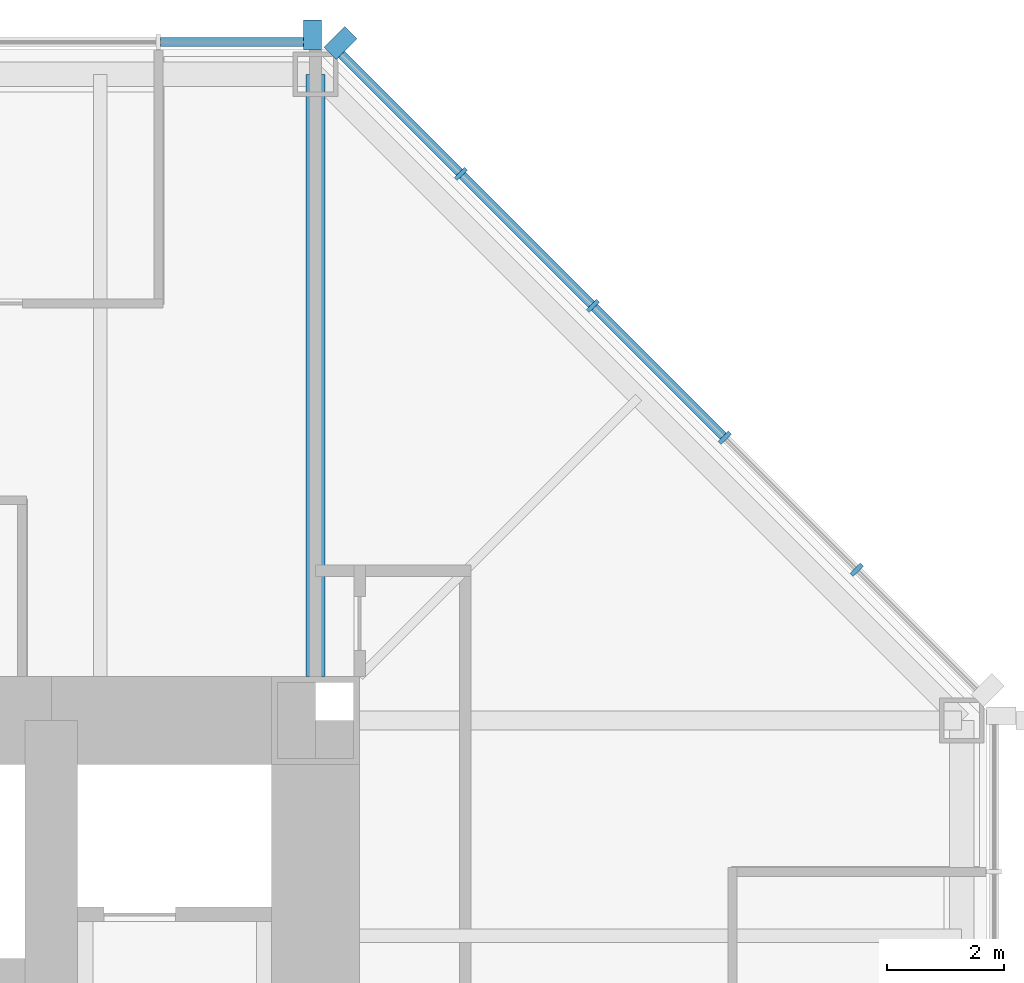
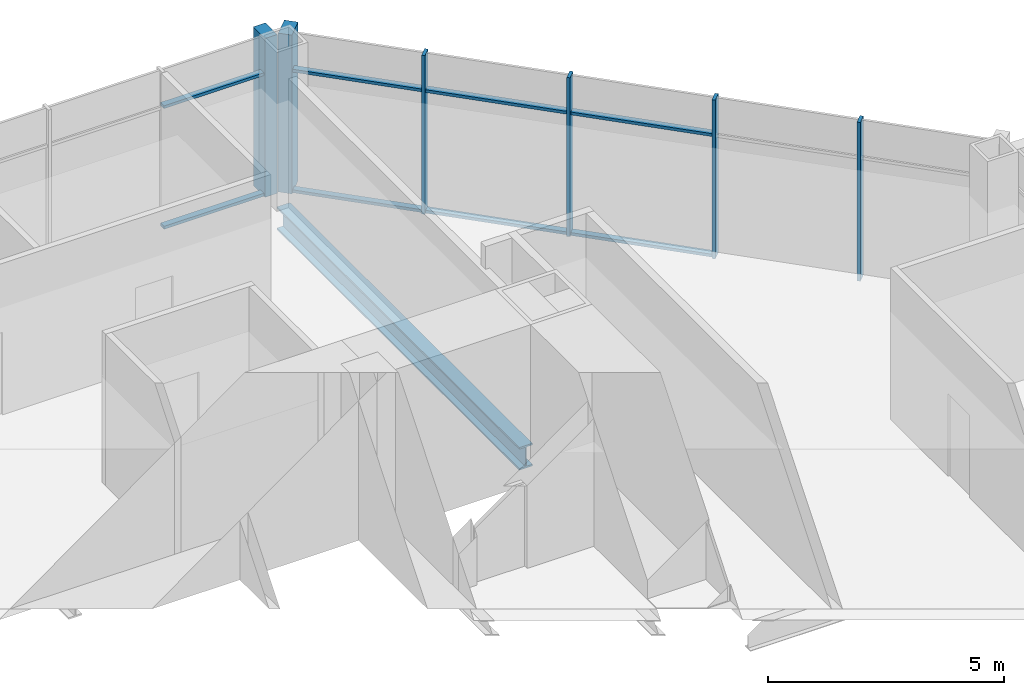
# One storey, part 6 of 12: 14 members, 1 beam, 2 elements without a shape of their own.
"""IFC4 building model written with IfcOpenShell, lengths in metres."""

from ifc_helpers import new_model, si_unit, direction, frame, origin, origin_2d, place, context, subcontext, project, spatial, rectangle, i_section, extrude, material, material_profile, profile_set, type_object, element, aggregate, save


model = new_model("IFC4")

# Units and contexts
model_context = context("Model", 3, precision=1e-05, world=origin(), true_north=direction((0.0, 1.0)))
body_context = subcontext(model_context, "Body", "Model", "MODEL_VIEW")
ifc_project = project(units=[si_unit("LENGTHUNIT", "METRE"), si_unit("AREAUNIT", "SQUARE_METRE"), si_unit("VOLUMEUNIT", "CUBIC_METRE"), si_unit("PLANEANGLEUNIT", "RADIAN"), si_unit("MASSUNIT", "GRAM", prefix="KILO")], contexts=[model_context])

# Site, building, storey
site_placement = place(None, origin())
site = spatial("IfcSite", under=ifc_project, at=site_placement, CompositionType="ELEMENT")
building_placement = place(site_placement, origin())
building = spatial("IfcBuilding", under=site, at=building_placement, Name="Trevanion Tower", CompositionType="ELEMENT")
storey_placement = place(building_placement, frame((0.0, 0.0, 129.5)))
storey = spatial("IfcBuildingStorey", under=building, at=storey_placement, Name="L30", CompositionType="ELEMENT", Elevation=129.5)

# Curtain wall, members
ifc_material_1 = material(Name="Aluminium and glass", Category="aluminium")
curtain_wall_type = type_object("IfcCurtainWallType", Name="CW2 curtain wall", PredefinedType="USERDEFINED", material=ifc_material_1)
curtain_wall_1_placement = place(storey_placement, origin())
curtain_wall_1 = element("IfcCurtainWall", 1, at=curtain_wall_1_placement, inside=storey, type_object=curtain_wall_type, Name="CW2 L30 1", ObjectType="UNITISED CURTAIN WALL", PredefinedType="USERDEFINED")
ifc_material_2 = material(Name="Aluminium extrusion, anodised bronze", Category="aluminium")
ifc_material_profile_1 = material_profile(ifc_material_2, rectangle(XDim=0.074951171875, YDim=0.25, at=origin_2d()), Name="CW2 mullion")
ifc_profile_set_1 = profile_set([ifc_material_profile_1], Name="Aluminium extrusion, anodised bronze")
member_type_1 = type_object("IfcMemberType", Name="CW2 mullion", PredefinedType="MULLION", material=ifc_profile_set_1)
member_1_placement = place(storey_placement, frame((20.2119140625, 13.56591796875, -0.18994140625), z_axis=(0.0, 0.0, 1.0), x_axis=(-0.707106781187, 0.707106781187, 0.0)))
member_1 = element("IfcMember", 2, at=member_1_placement, type_object=member_type_1, Name="CW2 mullion 2", PredefinedType="MULLION", context=body_context, shape_type="SweptSolid", body=[
    extrude(rectangle(XDim=0.074951171875, YDim=0.25, at=origin_2d()), origin(), (0.0, 0.0, 1.0), 4.099853515625),
])
member_2_placement = place(storey_placement, frame((17.966064453125, 15.811767578125, -0.18994140625), z_axis=(0.0, 0.0, 1.0), x_axis=(-0.707106781187, 0.707106781187, 0.0)))
member_2 = element("IfcMember", 3, at=member_2_placement, type_object=member_type_1, Name="CW2 mullion 3", PredefinedType="MULLION", context=body_context, shape_type="SweptSolid", body=[
    extrude(rectangle(XDim=0.074951171875, YDim=0.25, at=origin_2d()), origin(), (0.0, 0.0, 1.0), 4.099853515625),
])
member_3_placement = place(storey_placement, frame((15.719970703125, 18.057861328125, -0.18994140625), z_axis=(0.0, 0.0, 1.0), x_axis=(-0.707106781187, 0.707106781187, 0.0)))
member_3 = element("IfcMember", 4, at=member_3_placement, type_object=member_type_1, Name="CW2 mullion 4", PredefinedType="MULLION", context=body_context, shape_type="SweptSolid", body=[
    extrude(rectangle(XDim=0.074951171875, YDim=0.25, at=origin_2d()), origin(), (0.0, 0.0, 1.0), 4.099853515625),
])
member_4_placement = place(storey_placement, frame((13.473876953125, 20.303955078125, -0.18994140625), z_axis=(0.0, 0.0, 1.0), x_axis=(-0.707106781187, 0.707106781187, 0.0)))
member_4 = element("IfcMember", 5, at=member_4_placement, type_object=member_type_1, Name="CW2 mullion 5", PredefinedType="MULLION", context=body_context, shape_type="SweptSolid", body=[
    extrude(rectangle(XDim=0.074951171875, YDim=0.25, at=origin_2d()), origin(), (0.0, 0.0, 1.0), 4.099853515625),
])
ifc_material_3 = material(Name="Aluminium extrusion, anodised bronze", Category="aluminium")
ifc_material_profile_2 = material_profile(ifc_material_3, rectangle(XDim=0.300048828125, YDim=0.5, at=origin_2d()), Name="CW2 pier mullion")
ifc_profile_set_2 = profile_set([ifc_material_profile_2], Name="Aluminium extrusion, anodised bronze")
member_type_2 = type_object("IfcMemberType", Name="CW2 pier mullion", PredefinedType="MULLION", material=ifc_profile_set_2)
member_5_placement = place(storey_placement, frame((11.42236328125, 22.5322265625, -0.18994140625), z_axis=(0.0, 0.0, 1.0), x_axis=(-0.707106781187, 0.707106781187, 0.0)))
member_5 = element("IfcMember", 6, at=member_5_placement, type_object=member_type_2, Name="CW2 pier mullion 6", PredefinedType="MULLION", context=body_context, shape_type="SweptSolid", body=[
    extrude(rectangle(XDim=0.300048828125, YDim=0.5, at=origin_2d()), origin(), (0.0, 0.0, 1.0), 4.099853515625),
])

# Curtain wall, member
curtain_wall_2_placement = place(storey_placement, origin())
curtain_wall_2 = element("IfcCurtainWall", 7, at=curtain_wall_2_placement, inside=storey, type_object=curtain_wall_type, Name="CW2 L30 2", ObjectType="UNITISED CURTAIN WALL", PredefinedType="USERDEFINED")
member_6_placement = place(storey_placement, frame((10.94775390625, 22.675048828125, -0.18994140625), z_axis=(0.0, 0.0, 1.0), x_axis=(-1.0, 0.0, 0.0)))
member_6 = element("IfcMember", 8, at=member_6_placement, type_object=member_type_2, Name="CW2 pier mullion 1", PredefinedType="MULLION", context=body_context, shape_type="SweptSolid", body=[
    extrude(rectangle(XDim=0.300048828125, YDim=0.5, at=origin_2d()), origin(), (0.0, 0.0, 1.0), 4.099853515625),
])

# Member
ifc_material_4 = material(Name="Aluminium extrusion, anodised bronze", Category="aluminium")
ifc_material_profile_3 = material_profile(ifc_material_4, rectangle(XDim=0.14990234375, YDim=0.074951171875, at=origin_2d()), Name="CW2 transom")
ifc_profile_set_3 = profile_set([ifc_material_profile_3], Name="Aluminium extrusion, anodised bronze")
member_type_3 = type_object("IfcMemberType", Name="CW2 transom", PredefinedType="USERDEFINED", material=ifc_profile_set_3)
member_7_placement = place(storey_placement, frame((17.939453125, 15.83837890625, -0.152587890625), z_axis=(-0.707106781187, 0.707106781187, 0.0), x_axis=(-0.707106781187, -0.707106781187, 0.0)))
member_7 = element("IfcMember", 9, at=member_7_placement, type_object=member_type_3, Name="CW2 transom 3.1", ObjectType="TRANSOM", PredefinedType="USERDEFINED", context=body_context, shape_type="SweptSolid", body=[
    extrude(rectangle(XDim=0.14990234375, YDim=0.074951171875, at=origin_2d()), origin(), (0.0, 0.0, 1.0), 3.1015625),
])

member_8_placement = place(storey_placement, frame((17.939453125, 15.83837890625, 2.9599609375), z_axis=(-0.707106781187, 0.707106781187, 0.0), x_axis=(-0.707106781187, -0.707106781187, 0.0)))
member_8 = element("IfcMember", 10, at=member_8_placement, type_object=member_type_3, Name="CW2 transom 3.2", ObjectType="TRANSOM", PredefinedType="USERDEFINED", context=body_context, shape_type="SweptSolid", body=[
    extrude(rectangle(XDim=0.14990234375, YDim=0.074951171875, at=origin_2d()), origin(), (0.0, 0.0, 1.0), 3.1015625),
])

member_9_placement = place(storey_placement, frame((15.693359375, 18.08447265625, -0.152587890625), z_axis=(-0.707106781187, 0.707106781187, 0.0), x_axis=(-0.707106781187, -0.707106781187, 0.0)))
member_9 = element("IfcMember", 11, at=member_9_placement, type_object=member_type_3, Name="CW2 transom 4.1", ObjectType="TRANSOM", PredefinedType="USERDEFINED", context=body_context, shape_type="SweptSolid", body=[
    extrude(rectangle(XDim=0.14990234375, YDim=0.074951171875, at=origin_2d()), origin(), (0.0, 0.0, 1.0), 3.10107421875),
])

member_10_placement = place(storey_placement, frame((15.693359375, 18.08447265625, 2.9599609375), z_axis=(-0.707106781187, 0.707106781187, 0.0), x_axis=(-0.707106781187, -0.707106781187, 0.0)))
member_10 = element("IfcMember", 12, at=member_10_placement, type_object=member_type_3, Name="CW2 transom 4.2", ObjectType="TRANSOM", PredefinedType="USERDEFINED", context=body_context, shape_type="SweptSolid", body=[
    extrude(rectangle(XDim=0.14990234375, YDim=0.074951171875, at=origin_2d()), origin(), (0.0, 0.0, 1.0), 3.10107421875),
])

member_11_placement = place(storey_placement, frame((13.447509765625, 20.33056640625, -0.152587890625), z_axis=(-0.707149778163, 0.707063781595, 0.0), x_axis=(-0.707063781595, -0.707149778163, 0.0)))
member_11 = element("IfcMember", 13, at=member_11_placement, type_object=member_type_3, Name="CW2 transom 5.1", ObjectType="TRANSOM", PredefinedType="USERDEFINED", context=body_context, shape_type="SweptSolid", body=[
    extrude(rectangle(XDim=0.14990234375, YDim=0.074951171875, at=origin_2d()), origin(), (0.0, 0.0, 1.0), 2.8388671875),
])

member_12_placement = place(storey_placement, frame((13.447509765625, 20.33056640625, 2.9599609375), z_axis=(-0.707149778163, 0.707063781595, 0.0), x_axis=(-0.707063781595, -0.707149778163, 0.0)))
member_12 = element("IfcMember", 14, at=member_12_placement, type_object=member_type_3, Name="CW2 transom 5.2", ObjectType="TRANSOM", PredefinedType="USERDEFINED", context=body_context, shape_type="SweptSolid", body=[
    extrude(rectangle(XDim=0.14990234375, YDim=0.074951171875, at=origin_2d()), origin(), (0.0, 0.0, 1.0), 2.8388671875),
])

aggregate(curtain_wall_1, [member_1, member_2, member_3, member_4, member_5, member_7, member_8, member_9, member_10, member_11, member_12])

member_13_placement = place(storey_placement, frame((10.7978515625, 22.550048828125, -0.152587890625), z_axis=(-1.0, 0.0, 0.0), x_axis=(0.0, -1.0, 0.0)))
member_13 = element("IfcMember", 15, at=member_13_placement, type_object=member_type_3, Name="CW2 transom 1.1", ObjectType="TRANSOM", PredefinedType="USERDEFINED", context=body_context, shape_type="SweptSolid", body=[
    extrude(rectangle(XDim=0.14990234375, YDim=0.074951171875, at=origin_2d()), origin(), (0.0, 0.0, 1.0), 2.43701171875),
])

member_14_placement = place(storey_placement, frame((10.7978515625, 22.550048828125, 2.9599609375), z_axis=(-1.0, 0.0, 0.0), x_axis=(0.0, -1.0, 0.0)))
member_14 = element("IfcMember", 16, at=member_14_placement, type_object=member_type_3, Name="CW2 transom 1.2", ObjectType="TRANSOM", PredefinedType="USERDEFINED", context=body_context, shape_type="SweptSolid", body=[
    extrude(rectangle(XDim=0.14990234375, YDim=0.074951171875, at=origin_2d()), origin(), (0.0, 0.0, 1.0), 2.43701171875),
])

aggregate(curtain_wall_2, [member_6, member_13, member_14])

# Beam
ifc_material_5 = material(Name="Steel ASTM A992 Grade 50", Category="steel")
ifc_material_profile_4 = material_profile(ifc_material_5, i_section(OverallWidth=0.320068359375, OverallDepth=0.584228515625, WebThickness=0.023193359375, FlangeThickness=0.04150390625, at=origin_2d()), Name="W21X201")
ifc_profile_set_4 = profile_set([ifc_material_profile_4], Name="Steel ASTM A992 Grade 50")
beam_type = type_object("IfcBeamType", Name="G4 W21X201", PredefinedType="BEAM", material=ifc_profile_set_4)
beam_placement = place(storey_placement, frame((11.0, 11.75, -0.482177734375), z_axis=(0.0, 1.0, 0.0), x_axis=(-1.0, 0.0, 0.0)))
element("IfcBeam", 17, at=beam_placement, inside=storey, type_object=beam_type, Name="G4 L30", PredefinedType="BEAM", context=body_context, shape_type="SweptSolid", body=[
    extrude(i_section(OverallWidth=0.320068359375, OverallDepth=0.584228515625, WebThickness=0.023193359375, FlangeThickness=0.04150390625, at=origin_2d()), origin(), (0.0, 0.0, 1.0), 10.25),
])

save(model, "model.ifc")
